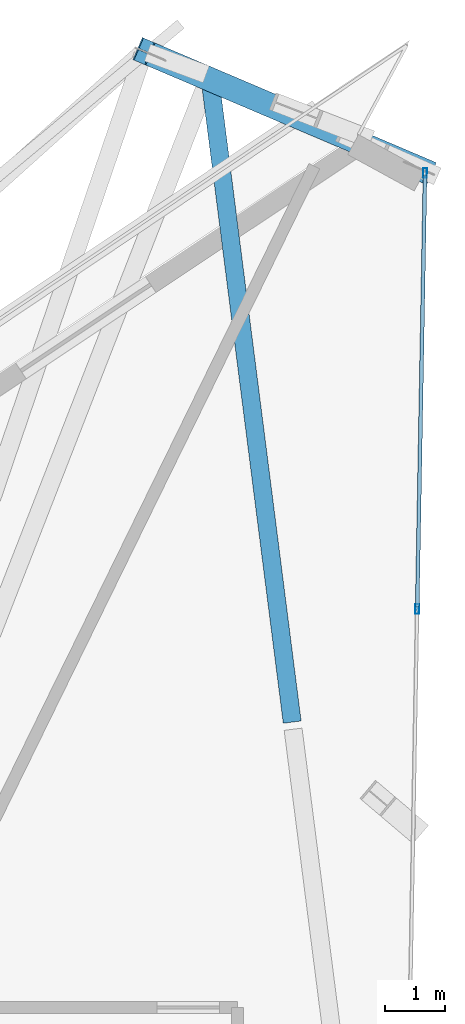
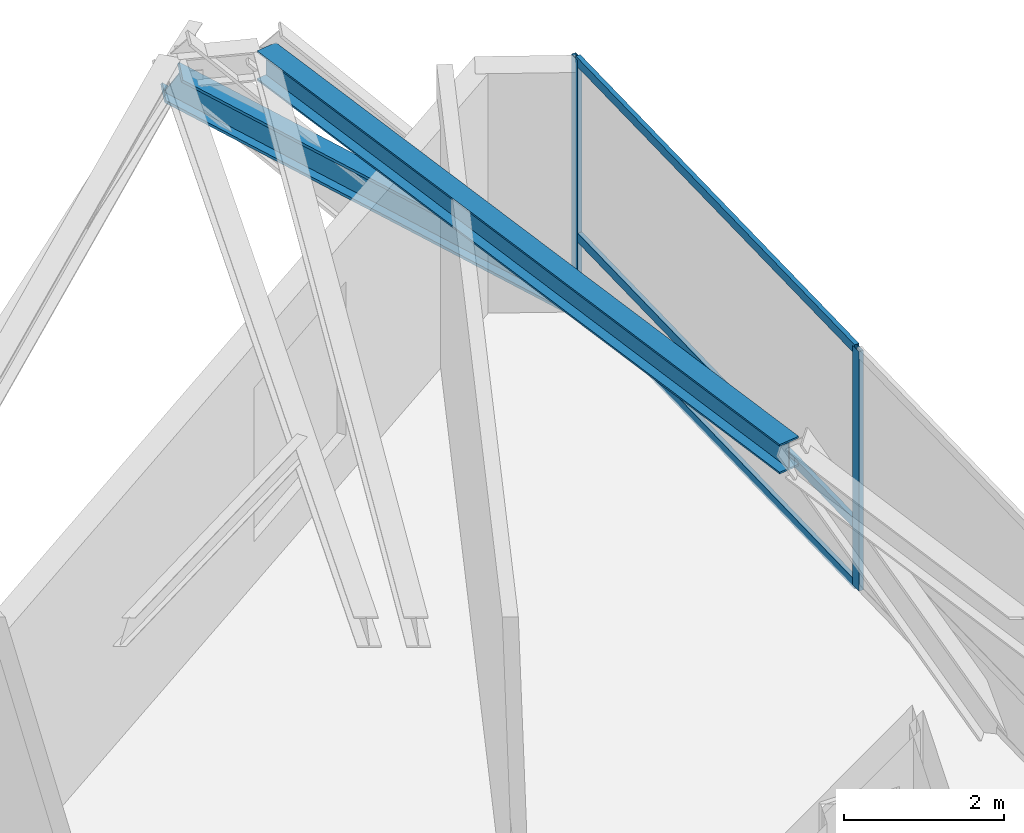
# One storey, part 13 of 22: 6 members, 1 beam, 1 element without a shape of its own.
"""IFC4 building model written with IfcOpenShell, lengths in metres."""

from ifc_helpers import new_model, si_unit, direction, frame, origin, origin_2d, place, context, subcontext, project, spatial, hollow_rectangle, i_section, extrude, source, transform, mapped, material, material_profile, profile_set, type_object, element, aggregate, save


model = new_model("IFC4")

# Units and contexts
model_context = context("Model", 3, precision=1e-05, world=origin(), true_north=direction((0.0, 1.0)))
body_context = subcontext(model_context, "Body", "Model", "MODEL_VIEW")
ifc_project = project(units=[si_unit("LENGTHUNIT", "METRE"), si_unit("AREAUNIT", "SQUARE_METRE"), si_unit("VOLUMEUNIT", "CUBIC_METRE"), si_unit("PLANEANGLEUNIT", "RADIAN"), si_unit("MASSUNIT", "GRAM", prefix="KILO")], contexts=[model_context])

# Site, building, storey
site_placement = place(None, origin())
site = spatial("IfcSite", under=ifc_project, at=site_placement, CompositionType="ELEMENT")
building_placement = place(site_placement, origin())
building = spatial("IfcBuilding", under=site, at=building_placement, Name="Olszyna Solenne Hotel", CompositionType="ELEMENT")
storey_placement = place(building_placement, frame((0.0, 0.0, 286.10009765625)))
storey = spatial("IfcBuildingStorey", under=building, at=storey_placement, Name="L76", CompositionType="ELEMENT", Elevation=286.10009765625)

# Beam
ifc_material_1 = material(Name="Steel S355J2", Category="steel")
ifc_material_profile_1 = material_profile(ifc_material_1, i_section(OverallWidth=0.300048828125, OverallDepth=0.449951171875, WebThickness=0.013916015625, FlangeThickness=0.02587890625, at=origin_2d()), Name="HEB 450", Category="load-bearing")
ifc_profile_set_1 = profile_set([ifc_material_profile_1], Name="Steel S355J2")
beam_type = type_object("IfcBeamType", Name="BM-S4", PredefinedType="BEAM", material=ifc_profile_set_1)
shared_shape_1 = source(origin(), body_context, "Body", "SweptSolid", [
    extrude(i_section(OverallWidth=0.300048828125, OverallDepth=0.449951171875, WebThickness=0.013916015625, FlangeThickness=0.02587890625, at=origin_2d()), origin(), (0.0, 0.0, 1.0), 10.810302734375),
])
beam_placement = place(storey_placement, frame((49.108642578125, 40.75830078125, 3.89501953125), z_axis=(-0.126786019095, 0.991930090965, 0.0), x_axis=(-0.991930090965, -0.126786019095, 0.0)))
element("IfcBeam", 1, at=beam_placement, inside=storey, type_object=beam_type, Name="Perimeter spandrel beam BM-S4 B-L76-2235", PredefinedType="BEAM", context=body_context, shape_type="MappedRepresentation", body=[
    mapped(shared_shape_1, transform((0.0, 0.0, 0.0), x_axis=(1.0, 0.0, 0.0), y_axis=(0.0, 1.0, 0.0), z_axis=(0.0, 0.0, 1.0), scale=1.0)),
])

# Member
ifc_material_2 = material(Name="Steel S460M", Category="steel")
ifc_material_profile_2 = material_profile(ifc_material_2, i_section(OverallWidth=0.40087890625, OverallDepth=0.39892578125, WebThickness=0.02197265625, FlangeThickness=0.034423828125, at=origin_2d()), Name="HD 400x314", Category="load-bearing")
ifc_profile_set_2 = profile_set([ifc_material_profile_2], Name="Steel S460M")
member_type_1 = type_object("IfcMemberType", Name="BR-T3", PredefinedType="BRACE", material=ifc_profile_set_2)
shared_shape_2 = source(origin(), body_context, "Body", "SweptSolid", [
    extrude(i_section(OverallWidth=0.40087890625, OverallDepth=0.39892578125, WebThickness=0.02197265625, FlangeThickness=0.034423828125, at=origin_2d()), origin(), (0.0, 0.0, 1.0), 6.278076171875),
])
member_1_placement = place(storey_placement, frame((51.325439453125, 49.95166015625, 0.010009765625), z_axis=(-0.746680941244, 0.317711748865, 0.584402957399), x_axis=(-0.391529264691, -0.920165656222, 0.0)))
element("IfcMember", 2, at=member_1_placement, inside=storey, type_object=member_type_1, Name="Perimeter braced-tube diagonal BR-T3 BR-L76-1", PredefinedType="BRACE", context=body_context, shape_type="MappedRepresentation", body=[
    mapped(shared_shape_2, transform((0.0, 0.0, 0.0), x_axis=(1.0, 0.0, 0.0), y_axis=(0.0, 1.0, 0.0), z_axis=(0.0, 0.0, 1.0), scale=1.0)),
])

# Curtain wall, members
ifc_material_3 = material(Name="Anodised bronze aluminium", Category="aluminium")
curtain_wall_type = type_object("IfcCurtainWallType", Name="CW-SYS-7", PredefinedType="NOTDEFINED", material=ifc_material_3)
curtain_wall_placement = place(storey_placement, origin())
curtain_wall = element("IfcCurtainWall", 3, at=curtain_wall_placement, inside=storey, type_object=curtain_wall_type, Name="Unitised curtain wall CW-SYS-7 CW-L76-03", PredefinedType="NOTDEFINED")
ifc_material_profile_3 = material_profile(ifc_material_3, hollow_rectangle(XDim=0.06494140625, YDim=0.159912109375, WallThickness=0.00390625, at=origin_2d()), Name="MULL 160x65x4", Category="load-bearing")
ifc_profile_set_3 = profile_set([ifc_material_profile_3], Name="Anodised bronze aluminium")
member_type_2 = type_object("IfcMemberType", Name="CW-M3", PredefinedType="MULLION", material=ifc_profile_set_3)
shared_shape_3 = source(origin(), body_context, "Body", "SweptSolid", [
    extrude(hollow_rectangle(XDim=0.06494140625, YDim=0.159912109375, WallThickness=0.00390625, at=origin_2d()), origin(), (0.0, 0.0, 1.0), 3.661865234375),
])
member_2_placement = place(storey_placement, frame((51.1943359375, 42.64453125, 0.0), z_axis=(0.0, 0.0, 1.0), x_axis=(-0.999839174218, 0.017933925907, 0.0)))
member_2 = element("IfcMember", 4, at=member_2_placement, type_object=member_type_2, Name="Curtain-wall mullion CW-M3 CM-L76-03-03", PredefinedType="MULLION", context=body_context, shape_type="MappedRepresentation", body=[
    mapped(shared_shape_3, transform((0.0, 0.0, 0.0), x_axis=(1.0, 0.0, 0.0), y_axis=(0.0, 1.0, 0.0), z_axis=(0.0, 0.0, 1.0), scale=1.0)),
])
member_3_placement = place(storey_placement, frame((51.324951171875, 49.919189453125, 0.0), z_axis=(0.0, 0.0, 1.0), x_axis=(-0.999839174218, 0.017933925907, 0.0)))
member_3 = element("IfcMember", 5, at=member_3_placement, type_object=member_type_2, Name="Curtain-wall mullion CW-M3 CM-L76-03-04", PredefinedType="MULLION", context=body_context, shape_type="MappedRepresentation", body=[
    mapped(shared_shape_3, transform((0.0, 0.0, 0.0), x_axis=(1.0, 0.0, 0.0), y_axis=(0.0, 1.0, 0.0), z_axis=(0.0, 0.0, 1.0), scale=1.0)),
])
ifc_material_profile_4 = material_profile(ifc_material_3, hollow_rectangle(XDim=0.06494140625, YDim=0.139892578125, WallThickness=0.00390625, at=origin_2d()), Name="TRAN 140x65x4", Category="load-bearing")
ifc_profile_set_4 = profile_set([ifc_material_profile_4], Name="Anodised bronze aluminium")
member_type_3 = type_object("IfcMemberType", Name="CW-T2", PredefinedType="USERDEFINED", material=ifc_profile_set_4)
shared_shape_4 = source(origin(), body_context, "Body", "SweptSolid", [
    extrude(hollow_rectangle(XDim=0.06494140625, YDim=0.139892578125, WallThickness=0.00390625, at=origin_2d()), origin(), (0.0, 0.0, 1.0), 7.2109375),
])
member_4_placement = place(storey_placement, frame((51.195068359375, 42.677001953125, 0.032470703125), z_axis=(0.017910505748, 0.999839594027, 0.0), x_axis=(-0.999839594027, 0.017910505748, 0.0)))
member_4 = element("IfcMember", 6, at=member_4_placement, type_object=member_type_3, Name="Curtain-wall transom CW-T2 CT-L76-03-07", ObjectType="TRANSOM", PredefinedType="USERDEFINED", context=body_context, shape_type="MappedRepresentation", body=[
    mapped(shared_shape_4, transform((0.0, 0.0, 0.0), x_axis=(1.0, 0.0, 0.0), y_axis=(0.0, 1.0, 0.0), z_axis=(0.0, 0.0, 1.0), scale=1.0)),
])
member_5_placement = place(storey_placement, frame((51.195068359375, 42.677001953125, 0.949951171875), z_axis=(0.017910505748, 0.999839594027, 0.0), x_axis=(-0.999839594027, 0.017910505748, 0.0)))
member_5 = element("IfcMember", 7, at=member_5_placement, type_object=member_type_3, Name="Curtain-wall transom CW-T2 CT-L76-03-08", ObjectType="TRANSOM", PredefinedType="USERDEFINED", context=body_context, shape_type="MappedRepresentation", body=[
    mapped(shared_shape_4, transform((0.0, 0.0, 0.0), x_axis=(1.0, 0.0, 0.0), y_axis=(0.0, 1.0, 0.0), z_axis=(0.0, 0.0, 1.0), scale=1.0)),
])
member_6_placement = place(storey_placement, frame((51.195068359375, 42.677001953125, 3.62939453125), z_axis=(0.017910505748, 0.999839594027, 0.0), x_axis=(-0.999839594027, 0.017910505748, 0.0)))
member_6 = element("IfcMember", 8, at=member_6_placement, type_object=member_type_3, Name="Curtain-wall transom CW-T2 CT-L76-03-09", ObjectType="TRANSOM", PredefinedType="USERDEFINED", context=body_context, shape_type="MappedRepresentation", body=[
    mapped(shared_shape_4, transform((0.0, 0.0, 0.0), x_axis=(1.0, 0.0, 0.0), y_axis=(0.0, 1.0, 0.0), z_axis=(0.0, 0.0, 1.0), scale=1.0)),
])
aggregate(curtain_wall, [member_2, member_3, member_4, member_5, member_6])

save(model, "model.ifc")
